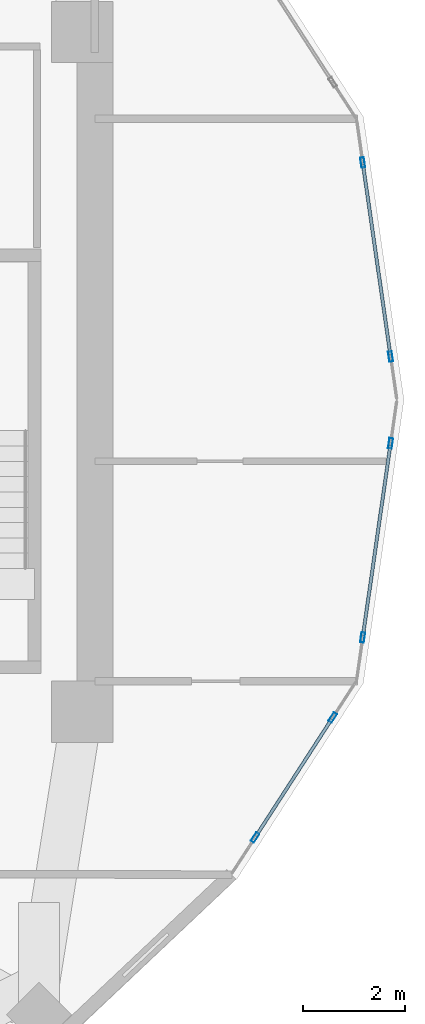
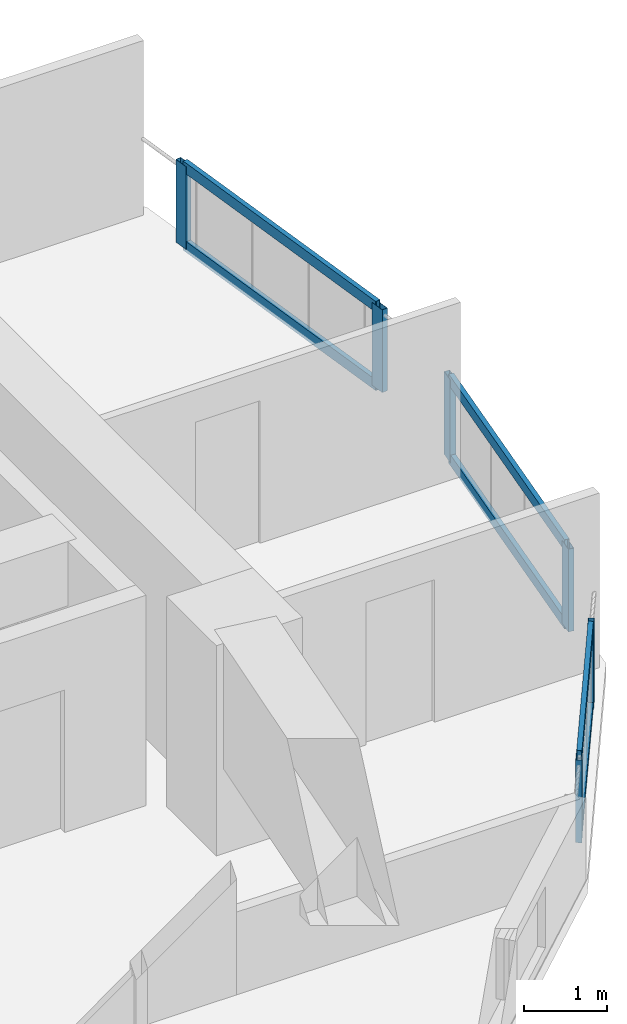
# One storey, part 3 of 13: 12 members, 3 elements without a shape of their own.
"""IFC4 building model written with IfcOpenShell, lengths in metres."""

from ifc_helpers import new_model, si_unit, direction, frame, origin, origin_2d, place, context, subcontext, project, spatial, hollow_rectangle, extrude, material, layer, layer_set, material_profile, profile_set, type_object, element, aggregate, save


model = new_model("IFC4")

# Units and contexts
model_context = context("Model", 3, precision=1e-05, world=origin(), true_north=direction((0.0, 1.0)))
body_context = subcontext(model_context, "Body", "Model", "MODEL_VIEW")
ifc_project = project(units=[si_unit("LENGTHUNIT", "METRE"), si_unit("AREAUNIT", "SQUARE_METRE"), si_unit("VOLUMEUNIT", "CUBIC_METRE"), si_unit("PLANEANGLEUNIT", "RADIAN"), si_unit("MASSUNIT", "GRAM", prefix="KILO")], contexts=[model_context])

# Site, building, storey
site_placement = place(None, origin())
site = spatial("IfcSite", under=ifc_project, at=site_placement, CompositionType="ELEMENT")
building_placement = place(site_placement, origin())
building = spatial("IfcBuilding", under=site, at=building_placement, Name="Solvane Sanctuary Tower", CompositionType="ELEMENT")
storey_placement = place(building_placement, frame((0.0, 0.0, 149.800048828125)))
storey = spatial("IfcBuildingStorey", under=building, at=storey_placement, Name="L45", CompositionType="ELEMENT", Elevation=149.800048828125)

# Curtain wall, members
ifc_material = material(Name="Anodised Aluminium 6063-T6", Category="aluminium")
ifc_layer = layer(ifc_material, 0.2099609375, Name="Anodised Aluminium 6063-T6")
ifc_layer_set = layer_set([ifc_layer], Name="Anodised Aluminium 6063-T6")
curtain_wall_type = type_object("IfcCurtainWallType", Name="Curtain Wall CW-PORTAL", PredefinedType="NOTDEFINED", material=ifc_layer_set)
curtain_wall_1_placement = place(storey_placement, origin())
curtain_wall_1 = element("IfcCurtainWall", 1, at=curtain_wall_1_placement, inside=storey, type_object=curtain_wall_type, Name="L45 CW-PORTAL Facade Run 00", PredefinedType="NOTDEFINED")
ifc_material_profile_1 = material_profile(ifc_material, hollow_rectangle(XDim=0.074951171875, YDim=0.199951171875, WallThickness=0.00390625, at=origin_2d()), Name="ALU200X75X4")
ifc_profile_set_1 = profile_set([ifc_material_profile_1], Name="Anodised Aluminium 6063-T6")
member_type_1 = type_object("IfcMemberType", Name="Member M-CW-MUL-1 ALU200X75X4", PredefinedType="MULLION", material=ifc_profile_set_1)
member_1_placement = place(storey_placement, frame((54.738037109375, 23.848876953125, 0.0), z_axis=(0.0, 0.0, 1.0), x_axis=(-0.989831077342, -0.142247806053, 0.0)))
member_1 = element("IfcMember", 2, at=member_1_placement, type_object=member_type_1, Name="CW-PORTAL mullion 1", PredefinedType="MULLION", context=body_context, shape_type="SweptSolid", body=[
    extrude(hollow_rectangle(XDim=0.074951171875, YDim=0.199951171875, WallThickness=0.00390625, at=origin_2d()), origin(), (0.0, 0.0, 1.0), 1.219970703125),
])
member_2_placement = place(storey_placement, frame((54.192138671875, 27.647705078125, 0.0), z_axis=(0.0, 0.0, 1.0), x_axis=(-0.989831077342, -0.142247806053, 0.0)))
member_2 = element("IfcMember", 3, at=member_2_placement, type_object=member_type_1, Name="CW-PORTAL mullion 2", PredefinedType="MULLION", context=body_context, shape_type="SweptSolid", body=[
    extrude(hollow_rectangle(XDim=0.074951171875, YDim=0.199951171875, WallThickness=0.00390625, at=origin_2d()), origin(), (0.0, 0.0, 1.0), 1.219970703125),
])

curtain_wall_2_placement = place(storey_placement, origin())
curtain_wall_2 = element("IfcCurtainWall", 4, at=curtain_wall_2_placement, inside=storey, type_object=curtain_wall_type, Name="L45 CW-PORTAL Facade Run 22", PredefinedType="NOTDEFINED")
member_3_placement = place(storey_placement, frame((52.0849609375, 14.43603515625, 0.0), z_axis=(0.0, 0.0, 1.0), x_axis=(-0.839512220128, 0.543340806728, 0.0)))
member_3 = element("IfcMember", 5, at=member_3_placement, type_object=member_type_1, Name="CW-PORTAL mullion 1", PredefinedType="MULLION", context=body_context, shape_type="SweptSolid", body=[
    extrude(hollow_rectangle(XDim=0.074951171875, YDim=0.199951171875, WallThickness=0.00390625, at=origin_2d()), origin(), (0.0, 0.0, 1.0), 1.219970703125),
])
member_4_placement = place(storey_placement, frame((53.604248046875, 16.78369140625, 0.0), z_axis=(0.0, 0.0, 1.0), x_axis=(-0.839512220128, 0.543340806728, 0.0)))
member_4 = element("IfcMember", 6, at=member_4_placement, type_object=member_type_1, Name="CW-PORTAL mullion 2", PredefinedType="MULLION", context=body_context, shape_type="SweptSolid", body=[
    extrude(hollow_rectangle(XDim=0.074951171875, YDim=0.199951171875, WallThickness=0.00390625, at=origin_2d()), origin(), (0.0, 0.0, 1.0), 1.219970703125),
])

curtain_wall_3_placement = place(storey_placement, origin())
curtain_wall_3 = element("IfcCurtainWall", 7, at=curtain_wall_3_placement, inside=storey, type_object=curtain_wall_type, Name="L45 CW-PORTAL Facade Run 23", PredefinedType="NOTDEFINED")
member_5_placement = place(storey_placement, frame((54.192138671875, 18.352294921875, 0.0), z_axis=(0.0, 0.0, 1.0), x_axis=(-0.989831077342, 0.142247806053, 0.0)))
member_5 = element("IfcMember", 8, at=member_5_placement, type_object=member_type_1, Name="CW-PORTAL mullion 1", PredefinedType="MULLION", context=body_context, shape_type="SweptSolid", body=[
    extrude(hollow_rectangle(XDim=0.074951171875, YDim=0.199951171875, WallThickness=0.00390625, at=origin_2d()), origin(), (0.0, 0.0, 1.0), 1.219970703125),
])
member_6_placement = place(storey_placement, frame((54.738037109375, 22.151123046875, 0.0), z_axis=(0.0, 0.0, 1.0), x_axis=(-0.989831077342, 0.142247806053, 0.0)))
member_6 = element("IfcMember", 9, at=member_6_placement, type_object=member_type_1, Name="CW-PORTAL mullion 2", PredefinedType="MULLION", context=body_context, shape_type="SweptSolid", body=[
    extrude(hollow_rectangle(XDim=0.074951171875, YDim=0.199951171875, WallThickness=0.00390625, at=origin_2d()), origin(), (0.0, 0.0, 1.0), 1.219970703125),
])

# Member
ifc_material_profile_2 = material_profile(ifc_material, hollow_rectangle(XDim=0.06494140625, YDim=0.159912109375, WallThickness=0.00341796875, at=origin_2d()), Name="ALU160X65X3.5")
ifc_profile_set_2 = profile_set([ifc_material_profile_2], Name="Anodised Aluminium 6063-T6")
member_type_2 = type_object("IfcMemberType", Name="Member M-CW-TRN-1 ALU160X65X3.5", PredefinedType="USERDEFINED", material=ifc_profile_set_2)
member_7_placement = place(storey_placement, frame((54.732666015625, 23.885986328125, 0.032470703125), z_axis=(-0.142220652488, 0.989834979179, 0.0), x_axis=(-0.989834979179, -0.142220652488, 0.0)))
member_7 = element("IfcMember", 10, at=member_7_placement, type_object=member_type_2, Name="CW-PORTAL transom 1.1", ObjectType="TRANSOM", PredefinedType="USERDEFINED", context=body_context, shape_type="SweptSolid", body=[
    extrude(hollow_rectangle(XDim=0.06494140625, YDim=0.159912109375, WallThickness=0.00341796875, at=origin_2d()), origin(), (0.0, 0.0, 1.0), 3.762939453125),
])

member_8_placement = place(storey_placement, frame((54.732666015625, 23.885986328125, 1.1875), z_axis=(-0.142220652488, 0.989834979179, 0.0), x_axis=(-0.989834979179, -0.142220652488, 0.0)))
member_8 = element("IfcMember", 11, at=member_8_placement, type_object=member_type_2, Name="CW-PORTAL transom 1.2", ObjectType="TRANSOM", PredefinedType="USERDEFINED", context=body_context, shape_type="SweptSolid", body=[
    extrude(hollow_rectangle(XDim=0.06494140625, YDim=0.159912109375, WallThickness=0.00341796875, at=origin_2d()), origin(), (0.0, 0.0, 1.0), 3.762939453125),
])

aggregate(curtain_wall_1, [member_1, member_2, member_7, member_8])

member_9_placement = place(storey_placement, frame((52.10546875, 14.467529296875, 0.032470703125), z_axis=(0.543303354551, 0.83953645837, 0.0), x_axis=(-0.83953645837, 0.543303354551, 0.0)))
member_9 = element("IfcMember", 12, at=member_9_placement, type_object=member_type_2, Name="CW-PORTAL transom 1.1", ObjectType="TRANSOM", PredefinedType="USERDEFINED", context=body_context, shape_type="SweptSolid", body=[
    extrude(hollow_rectangle(XDim=0.06494140625, YDim=0.159912109375, WallThickness=0.00341796875, at=origin_2d()), origin(), (0.0, 0.0, 1.0), 2.721435546875),
])

member_10_placement = place(storey_placement, frame((52.10546875, 14.467529296875, 1.1875), z_axis=(0.543303354551, 0.83953645837, 0.0), x_axis=(-0.83953645837, 0.543303354551, 0.0)))
member_10 = element("IfcMember", 13, at=member_10_placement, type_object=member_type_2, Name="CW-PORTAL transom 1.2", ObjectType="TRANSOM", PredefinedType="USERDEFINED", context=body_context, shape_type="SweptSolid", body=[
    extrude(hollow_rectangle(XDim=0.06494140625, YDim=0.159912109375, WallThickness=0.00341796875, at=origin_2d()), origin(), (0.0, 0.0, 1.0), 2.721435546875),
])

aggregate(curtain_wall_2, [member_3, member_4, member_9, member_10])

member_11_placement = place(storey_placement, frame((54.197509765625, 18.389404296875, 0.032470703125), z_axis=(0.142220652488, 0.989834979179, 0.0), x_axis=(-0.989834979179, 0.142220652488, 0.0)))
member_11 = element("IfcMember", 14, at=member_11_placement, type_object=member_type_2, Name="CW-PORTAL transom 1.1", ObjectType="TRANSOM", PredefinedType="USERDEFINED", context=body_context, shape_type="SweptSolid", body=[
    extrude(hollow_rectangle(XDim=0.06494140625, YDim=0.159912109375, WallThickness=0.00341796875, at=origin_2d()), origin(), (0.0, 0.0, 1.0), 3.762939453125),
])

member_12_placement = place(storey_placement, frame((54.197509765625, 18.389404296875, 1.1875), z_axis=(0.142220652488, 0.989834979179, 0.0), x_axis=(-0.989834979179, 0.142220652488, 0.0)))
member_12 = element("IfcMember", 15, at=member_12_placement, type_object=member_type_2, Name="CW-PORTAL transom 1.2", ObjectType="TRANSOM", PredefinedType="USERDEFINED", context=body_context, shape_type="SweptSolid", body=[
    extrude(hollow_rectangle(XDim=0.06494140625, YDim=0.159912109375, WallThickness=0.00341796875, at=origin_2d()), origin(), (0.0, 0.0, 1.0), 3.762939453125),
])

aggregate(curtain_wall_3, [member_5, member_6, member_11, member_12])

save(model, "model.ifc")
